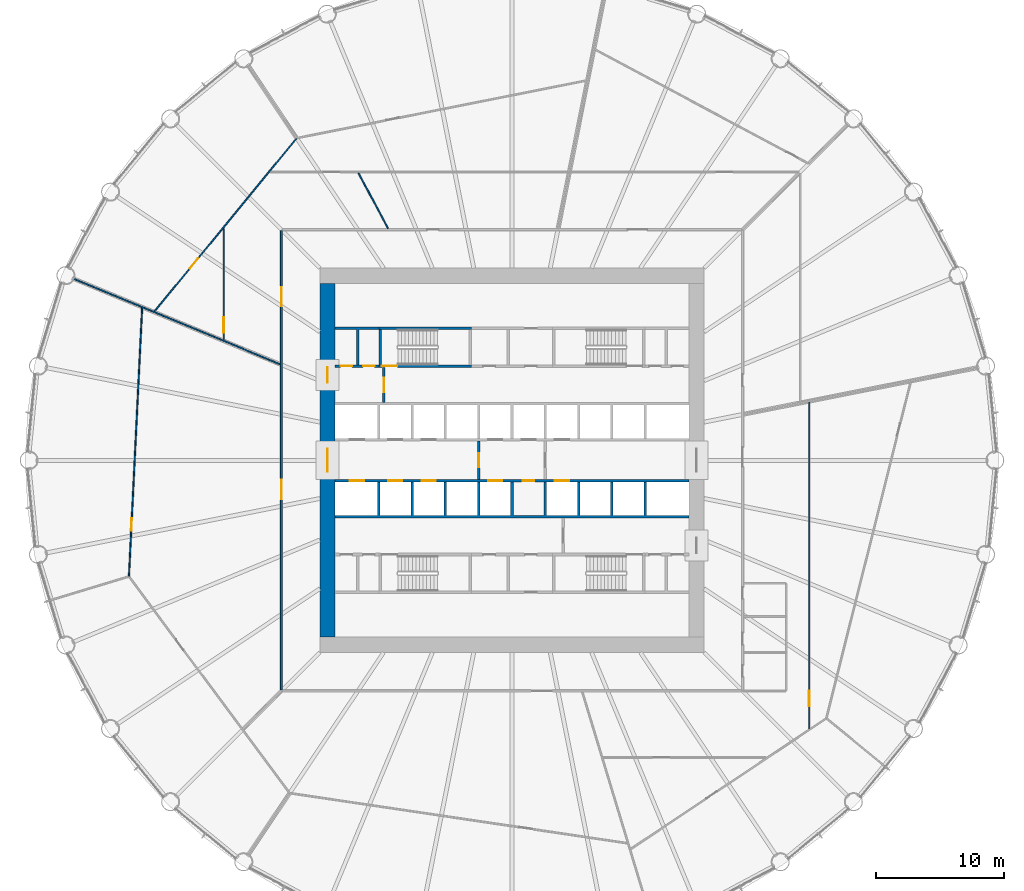
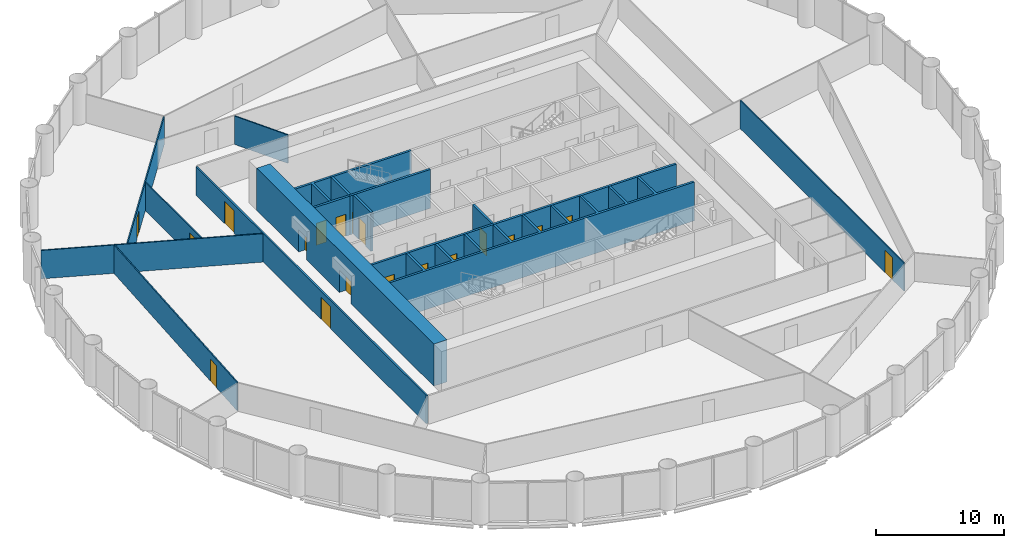
# One storey, part 11 of 15: 19 doors, 17 walls, 19 openings.
"""IFC4 building model written with IfcOpenShell, lengths in metres."""

import ifcopenshell
import ifcopenshell.guid

model = None  # the IFC model being written
_history = None  # IfcOwnerHistory: only IFC2X3 demands one
_inside = {}  # id of a spatial element -> (the spatial element, [elements in it])
_under = {}  # id of a project, library or spatial element -> (it, [spatial elements below it])
_declared = {}  # id of a project -> (the project, [libraries it declares])
_typed = {}  # id of a type object -> (the type object, [elements of that type])
_made_of = {}  # id of a material, layer set ... -> (it, [elements and type objects made of it])


def new_model(schema):
    """Start an empty IFC model of exactly this schema.

    Asked for "IFC4X3", IfcOpenShell would pick the latest addendum, in which some entities
    have other attributes; the version numbers below select the first issue.
    IFC2X3 requires an IfcOwnerHistory on every rooted entity: one is made here for all.
    """
    global model, _history
    if schema == "IFC4X3":
        model = ifcopenshell.file(schema_version=(4, 3, 0, 0))
    else:
        model = ifcopenshell.file(schema=schema)
    _inside.clear()
    _under.clear()
    _declared.clear()
    _typed.clear()
    _made_of.clear()
    _history = None
    if model.schema == "IFC2X3":
        org = make("IfcOrganization", Name="unknown")
        user = make(
            "IfcPersonAndOrganization",
            ThePerson=make("IfcPerson", FamilyName="unknown"),
            TheOrganization=org,
        )
        app = make(
            "IfcApplication",
            ApplicationDeveloper=org,
            Version="unknown",
            ApplicationFullName="unknown",
            ApplicationIdentifier="unknown",
        )
        _history = make(
            "IfcOwnerHistory",
            OwningUser=user,
            OwningApplication=app,
            ChangeAction="ADDED",
            CreationDate=0,
        )
    return model


def make(cls, **values):
    """One entity of the class cls with the attributes given. An attribute that is None is left unset."""
    return model.create_entity(
        cls, **{name: value for name, value in values.items() if value is not None}
    )


def rooted(cls, **values):
    """An entity with a GlobalId (a new one), such as an element, a storey or a relation."""
    return make(cls, GlobalId=ifcopenshell.guid.new(), OwnerHistory=_history, **values)


def si_unit(unit_type, name, prefix=None):
    """IfcSIUnit, for example si_unit("LENGTHUNIT", "METRE", prefix="MILLI")."""
    return make("IfcSIUnit", UnitType=unit_type, Prefix=prefix, Name=name)


def assignment(units):
    """IfcUnitAssignment: the units of a project."""
    return None if units is None else make("IfcUnitAssignment", Units=units)


def point(xyz):
    """IfcCartesianPoint."""
    return None if xyz is None else make("IfcCartesianPoint", Coordinates=xyz)


def direction(xyz):
    """IfcDirection."""
    return None if xyz is None else make("IfcDirection", DirectionRatios=xyz)


def frame(location, z_axis=None, x_axis=None):
    """IfcAxis2Placement3D, a coordinate frame: its origin and axes. An axis left out is left unset."""
    return make(
        "IfcAxis2Placement3D",
        Location=point(location),
        Axis=direction(z_axis),
        RefDirection=direction(x_axis),
    )


def frame_2d(location, x_axis=None):
    """IfcAxis2Placement2D, a coordinate frame in the plane: its origin and x axis."""
    return make(
        "IfcAxis2Placement2D", Location=point(location), RefDirection=direction(x_axis)
    )


def origin():
    """The frame at (0, 0, 0) with its axes left unset."""
    return frame((0.0, 0.0, 0.0))


def place(relative_to, where):
    """IfcLocalPlacement: puts the frame where relative to a parent placement (None: the world)."""
    return make(
        "IfcLocalPlacement", PlacementRelTo=relative_to, RelativePlacement=where
    )


def context(
    kind, dimensions, precision=None, world=None, true_north=None, identifier=None
):
    """IfcGeometricRepresentationContext, for example the 3D "Model" context."""
    return make(
        "IfcGeometricRepresentationContext",
        ContextIdentifier=identifier,
        ContextType=kind,
        CoordinateSpaceDimension=dimensions,
        Precision=precision,
        WorldCoordinateSystem=world,
        TrueNorth=true_north,
    )


def subcontext(parent, identifier, kind, view, scale=None):
    """IfcGeometricRepresentationSubContext, for example "Body" below "Model"."""
    return make(
        "IfcGeometricRepresentationSubContext",
        ContextIdentifier=identifier,
        ContextType=kind,
        ParentContext=parent,
        TargetScale=scale,
        TargetView=view,
    )


def project(units=None, contexts=None):
    """IfcProject with its units and contexts."""
    return rooted(
        "IfcProject",
        Name="project",
        RepresentationContexts=contexts,
        UnitsInContext=assignment(units),
    )


def spatial(cls, under=None, at=None, **own):
    """A site, building, storey or space (cls), placed at a placement, below another one or the project."""
    s = rooted(cls, ObjectPlacement=at, **own)
    if under is not None:
        _under.setdefault(under.id(), (under, []))[1].append(s)
    return s


def polyline(points):
    """IfcPolyline through the points."""
    return make("IfcPolyline", Points=[point(p) for p in points])


def profile(cls, at=None, kind="AREA", **sizes):
    """A parametric profile (cls). Its sizes go by their IFC names, for example OverallWidth=200.0."""
    return make(cls, ProfileType=kind, Position=at, **sizes)


def rectangle(**sizes):
    """IfcRectangleProfileDef."""
    return profile("IfcRectangleProfileDef", **sizes)


def outline(outer, holes=None, kind="AREA"):
    """IfcArbitraryClosedProfileDef: a profile drawn as a closed curve; with holes, ...WithVoids."""
    if holes is None:
        return make("IfcArbitraryClosedProfileDef", ProfileType=kind, OuterCurve=outer)
    return make(
        "IfcArbitraryProfileDefWithVoids",
        ProfileType=kind,
        OuterCurve=outer,
        InnerCurves=holes,
    )


def extrude(swept, where, along, depth):
    """IfcExtrudedAreaSolid: the profile swept, set in the frame where, extruded along a direction by depth."""
    return make(
        "IfcExtrudedAreaSolid",
        SweptArea=swept,
        Position=where,
        ExtrudedDirection=direction(along),
        Depth=depth,
    )


def shape(context_of_items, identifier, shape_type, items):
    """IfcShapeRepresentation: the items that make up one representation, for example the "Body"."""
    return make(
        "IfcShapeRepresentation",
        ContextOfItems=context_of_items,
        RepresentationIdentifier=identifier,
        RepresentationType=shape_type,
        Items=items,
    )


def material(Name=None, Category=None):
    """IfcMaterial."""
    return make("IfcMaterial", Name=Name, Category=Category)


def layer(
    of_material, thickness, ventilated=None, Name=None, Category=None, Priority=None
):
    """IfcMaterialLayer: one layer of a wall or slab, of a material (None: an air gap)."""
    return make(
        "IfcMaterialLayer",
        Material=of_material,
        LayerThickness=thickness,
        IsVentilated=ventilated,
        Name=Name,
        Category=Category,
        Priority=Priority,
    )


def layer_set(layers, Name=None):
    """IfcMaterialLayerSet."""
    return make("IfcMaterialLayerSet", MaterialLayers=layers, LayerSetName=Name)


def made_of(thing, what):
    """Note that an element or type object is made of a material, layer set ...; save() writes the relation."""
    if what is not None:
        _made_of.setdefault(what.id(), (what, []))[1].append(thing)
    return thing


def type_object(cls, material=None, **own):
    """A type object (cls), such as IfcWallType, which elements share."""
    return made_of(rooted(cls, **own), material)


def element(
    cls,
    number,
    at=None,
    inside=None,
    cuts=None,
    type_object=None,
    material=None,
    context=None,
    identifier="Body",
    shape_type=None,
    held_by="IfcProductDefinitionShape",
    body=None,
    shapes=None,
    **own,
):
    """One element of the class cls, such as IfcWall. Its Tag is "e" and its number.

    at: its placement. inside: the storey or other place that contains it. cuts: it is an
    opening in that element (IfcRelVoidsElement). A single representation is given by context,
    identifier, shape_type and body (its items); several are given by shapes. held_by: the class
    of the entity that holds the representations. save() writes the other relations.
    """
    e = rooted(cls, Tag="e%d" % number, ObjectPlacement=at, **own)
    if body is not None:
        shapes = [shape(context, identifier, shape_type, body)]
    if shapes is not None:
        e.Representation = make(held_by, Representations=shapes)
    if inside is not None:
        _inside.setdefault(inside.id(), (inside, []))[1].append(e)
    if cuts is not None:
        rooted(
            "IfcRelVoidsElement", RelatingBuildingElement=cuts, RelatedOpeningElement=e
        )
    if type_object is not None:
        _typed.setdefault(type_object.id(), (type_object, []))[1].append(e)
    return made_of(e, material)


def fill(opening, filler):
    """IfcRelFillsElement: the door or window that sits in an opening."""
    return rooted(
        "IfcRelFillsElement",
        RelatingOpeningElement=opening,
        RelatedBuildingElement=filler,
    )


def aggregate(whole, parts):
    """IfcRelAggregates: a whole, such as a stair, and the parts it consists of."""
    return rooted("IfcRelAggregates", RelatingObject=whole, RelatedObjects=parts)


def save(model, path):
    """Write the relations noted so far, then the file.

    IfcRelAggregates (storeys below a building ...), IfcRelContainedInSpatialStructure (elements
    in a storey), IfcRelDefinesByType, IfcRelAssociatesMaterial and IfcRelDeclares: one each for
    every whole, place, type object, material and project.
    """
    for whole, parts in _under.values():
        aggregate(whole, parts)
    for where, things in _inside.values():
        rooted(
            "IfcRelContainedInSpatialStructure",
            RelatedElements=things,
            RelatingStructure=where,
        )
    for kind, things in _typed.values():
        rooted("IfcRelDefinesByType", RelatedObjects=things, RelatingType=kind)
    for what, things in _made_of.values():
        rooted("IfcRelAssociatesMaterial", RelatedObjects=things, RelatingMaterial=what)
    for by, libraries in _declared.values():
        rooted("IfcRelDeclares", RelatingContext=by, RelatedDefinitions=libraries)
    model.write(path)


model = new_model("IFC4")

# Units and contexts
model_context = context("Model", 3, precision=1e-05, world=origin(), true_north=direction((0.0, 1.0)))
body_context = subcontext(model_context, "Body", "Model", "MODEL_VIEW")
ifc_project = project(units=[si_unit("LENGTHUNIT", "METRE"), si_unit("AREAUNIT", "SQUARE_METRE"), si_unit("VOLUMEUNIT", "CUBIC_METRE"), si_unit("PLANEANGLEUNIT", "RADIAN"), si_unit("MASSUNIT", "GRAM", prefix="KILO")], contexts=[model_context])

# Site, building, storey
site_placement = place(None, origin())
site = spatial("IfcSite", under=ifc_project, at=site_placement, CompositionType="ELEMENT")
building_placement = place(site_placement, origin())
building = spatial("IfcBuilding", under=site, at=building_placement, Name="Corvane Civic Tower", CompositionType="ELEMENT")
storey_placement = place(building_placement, frame((0.0, 0.0, 69.0)))
storey = spatial("IfcBuildingStorey", under=building, at=storey_placement, Name="L15", CompositionType="ELEMENT", Elevation=69.0)

# Wall, openings, doors
ifc_material_1 = material(Name="Concrete C80/95", Category="concrete")
ifc_layer_1 = layer(ifc_material_1, 1.199951171875)
ifc_layer_set_1 = layer_set([ifc_layer_1], Name="Concrete C80/95")
wall_type_1 = type_object("IfcWallType", Name="CORE WALL 1200 C80/95", PredefinedType="SHEAR", material=ifc_layer_set_1)
wall_1_placement = place(storey_placement, frame((-14.39990234375, -13.800048828125, 0.0), z_axis=(0.0, 0.0, 1.0), x_axis=(0.0, 1.0, 0.0)))
wall_1 = element("IfcWall", 1, at=wall_1_placement, inside=storey, type_object=wall_type_1, Name="W-L15-core-W", PredefinedType="SHEAR", context=body_context, shape_type="SweptSolid", body=[
    extrude(rectangle(XDim=27.60009765625, YDim=1.199951171875, at=frame_2d((13.800048828125, 0.0))), origin(), (0.0, 0.0, 1.0), 4.0),
])
opening_1_placement = place(wall_1_placement, frame((12.89990234375, 0.0, 0.0)))
opening_1 = element("IfcOpeningElement", 2, at=opening_1_placement, cuts=wall_1, Name="Opening L15.C24", PredefinedType="OPENING", context=body_context, shape_type="SweptSolid", body=[
    extrude(rectangle(XDim=1.800048828125, YDim=2.10009765625, at=frame_2d((0.89990234375, 1.050048828125))), frame((0.0, 0.60986328125, 0.0), z_axis=(0.0, -1.0, 0.0), x_axis=(1.0, 0.0, 0.0)), (0.0, 0.0, 1.0), 1.219970703125),
])
opening_2_placement = place(wall_1_placement, frame((19.85009765625, 0.0, 0.0)))
opening_2 = element("IfcOpeningElement", 3, at=opening_2_placement, cuts=wall_1, Name="Opening L15.C26", PredefinedType="OPENING", context=body_context, shape_type="SweptSolid", body=[
    extrude(rectangle(XDim=1.199951171875, YDim=2.10009765625, at=frame_2d((0.60009765625, 1.050048828125))), frame((0.0, 0.60986328125, 0.0), z_axis=(0.0, -1.0, 0.0), x_axis=(1.0, 0.0, 0.0)), (0.0, 0.0, 1.0), 1.219970703125),
])
ifc_material_2 = material(Name="Steel fire door leaf", Category="steel")
door_type_1 = type_object("IfcDoorType", Name="CR-DOOR-CORE-1800", OperationType="DOUBLE_DOOR_SINGLE_SWING", PredefinedType="DOOR", material=ifc_material_2)
door_1_placement = place(opening_1_placement, origin())
door_1 = element("IfcDoor", 4, at=door_1_placement, inside=storey, type_object=door_type_1, Name="L15 door", OperationType="DOUBLE_DOOR_SINGLE_SWING", OverallHeight=2.10009765625, OverallWidth=1.800048828125, PredefinedType="DOOR", context=body_context, shape_type="SweptSolid", body=[
    extrude(rectangle(XDim=1.800048828125, YDim=2.10009765625, at=frame_2d((0.89990234375, 1.050048828125))), frame((0.0, 0.02490234375, 0.0), z_axis=(0.0, -1.0, 0.0), x_axis=(1.0, 0.0, 0.0)), (0.0, 0.0, 1.0), 0.050048828125),
])
fill(opening_1, door_1)
door_2_placement = place(opening_2_placement, origin())
door_2 = element("IfcDoor", 5, at=door_2_placement, inside=storey, type_object=door_type_1, Name="L15 door", OperationType="DOUBLE_DOOR_SINGLE_SWING", OverallHeight=2.10009765625, OverallWidth=1.199951171875, PredefinedType="DOOR", context=body_context, shape_type="SweptSolid", body=[
    extrude(rectangle(XDim=1.199951171875, YDim=2.10009765625, at=frame_2d((0.60009765625, 1.050048828125))), frame((0.0, 0.02490234375, 0.0), z_axis=(0.0, -1.0, 0.0), x_axis=(1.0, 0.0, 0.0)), (0.0, 0.0, 1.0), 0.050048828125),
])
fill(opening_2, door_2)

ifc_material_3 = material(Name="Concrete C30/37", Category="concrete")
ifc_layer_2 = layer(ifc_material_3, 0.199951171875)
ifc_layer_set_2 = layer_set([ifc_layer_2], Name="Concrete C30/37")
wall_type_2 = type_object("IfcWallType", Name="CR-WALL-200", PredefinedType="PARTITIONING", material=ifc_layer_set_2)
wall_2_placement = place(storey_placement, frame((-13.800048828125, -1.60009765625, 0.0), z_axis=(0.0, 0.0, 1.0), x_axis=(1.0, 0.0, 0.0)))
wall_2 = element("IfcWall", 6, at=wall_2_placement, inside=storey, type_object=wall_type_2, Name="L15 lift shaft wall", PredefinedType="PARTITIONING", context=body_context, shape_type="SweptSolid", body=[
    extrude(rectangle(XDim=27.60009765625, YDim=0.199951171875, at=frame_2d((13.800048828125, 0.0))), origin(), (0.0, 0.0, 1.0), 3.699951171875),
])
opening_3_placement = place(wall_2_placement, frame((1.14990234375, 0.0, 0.0)))
opening_3 = element("IfcOpeningElement", 7, at=opening_3_placement, cuts=wall_2, Name="Opening LD", PredefinedType="OPENING", context=body_context, shape_type="SweptSolid", body=[
    extrude(rectangle(XDim=1.10009765625, YDim=2.10009765625, at=frame_2d((0.550048828125, 1.050048828125))), frame((0.0, 0.10986328125, 0.0), z_axis=(0.0, -1.0, 0.0), x_axis=(1.0, 0.0, 0.0)), (0.0, 0.0, 1.0), 0.219970703125),
])
opening_4_placement = place(wall_2_placement, frame((4.14990234375, 0.0, 0.0)))
opening_4 = element("IfcOpeningElement", 8, at=opening_4_placement, cuts=wall_2, Name="Opening LD", PredefinedType="OPENING", context=body_context, shape_type="SweptSolid", body=[
    extrude(rectangle(XDim=1.10009765625, YDim=2.10009765625, at=frame_2d((0.550048828125, 1.050048828125))), frame((0.0, 0.10986328125, 0.0), z_axis=(0.0, -1.0, 0.0), x_axis=(1.0, 0.0, 0.0)), (0.0, 0.0, 1.0), 0.219970703125),
])
opening_5_placement = place(wall_2_placement, frame((6.75, 0.0, 0.0)))
opening_5 = element("IfcOpeningElement", 9, at=opening_5_placement, cuts=wall_2, Name="Opening LD", PredefinedType="OPENING", context=body_context, shape_type="SweptSolid", body=[
    extrude(rectangle(XDim=1.10009765625, YDim=2.10009765625, at=frame_2d((0.550048828125, 1.050048828125))), frame((0.0, 0.10986328125, 0.0), z_axis=(0.0, -1.0, 0.0), x_axis=(1.0, 0.0, 0.0)), (0.0, 0.0, 1.0), 0.219970703125),
])
opening_6_placement = place(wall_2_placement, frame((11.949951171875, 0.0, 0.0)))
opening_6 = element("IfcOpeningElement", 10, at=opening_6_placement, cuts=wall_2, Name="Opening LD", PredefinedType="OPENING", context=body_context, shape_type="SweptSolid", body=[
    extrude(rectangle(XDim=1.10009765625, YDim=2.10009765625, at=frame_2d((0.550048828125, 1.050048828125))), frame((0.0, 0.10986328125, 0.0), z_axis=(0.0, -1.0, 0.0), x_axis=(1.0, 0.0, 0.0)), (0.0, 0.0, 1.0), 0.219970703125),
])
opening_7_placement = place(wall_2_placement, frame((14.64990234375, 0.0, 0.0)))
opening_7 = element("IfcOpeningElement", 11, at=opening_7_placement, cuts=wall_2, Name="Opening L15.C01", PredefinedType="OPENING", context=body_context, shape_type="SweptSolid", body=[
    extrude(rectangle(XDim=0.89990234375, YDim=2.10009765625, at=frame_2d((0.449951171875, 1.050048828125))), frame((0.0, 0.10986328125, 0.0), z_axis=(0.0, -1.0, 0.0), x_axis=(1.0, 0.0, 0.0)), (0.0, 0.0, 1.0), 0.219970703125),
])
opening_8_placement = place(wall_2_placement, frame((17.14990234375, 0.0, 0.0)))
opening_8 = element("IfcOpeningElement", 12, at=opening_8_placement, cuts=wall_2, Name="Opening LD", PredefinedType="OPENING", context=body_context, shape_type="SweptSolid", body=[
    extrude(rectangle(XDim=1.10009765625, YDim=2.10009765625, at=frame_2d((0.550048828125, 1.050048828125))), frame((0.0, 0.10986328125, 0.0), z_axis=(0.0, -1.0, 0.0), x_axis=(1.0, 0.0, 0.0)), (0.0, 0.0, 1.0), 0.219970703125),
])
ifc_material_4 = material(Name="Steel fire door leaf", Category="steel")
door_type_2 = type_object("IfcDoorType", Name="CR-DOOR-900", OperationType="SINGLE_SWING_LEFT", PredefinedType="DOOR", material=ifc_material_4)
door_3_placement = place(opening_7_placement, origin())
door_3 = element("IfcDoor", 13, at=door_3_placement, inside=storey, type_object=door_type_2, Name="L15 door", OperationType="SINGLE_SWING_LEFT", OverallHeight=2.10009765625, OverallWidth=0.89990234375, PredefinedType="DOOR", context=body_context, shape_type="SweptSolid", body=[
    extrude(rectangle(XDim=0.89990234375, YDim=2.10009765625, at=frame_2d((0.449951171875, 1.050048828125))), frame((0.0, 0.02490234375, 0.0), z_axis=(0.0, -1.0, 0.0), x_axis=(1.0, 0.0, 0.0)), (0.0, 0.0, 1.0), 0.050048828125),
])
fill(opening_7, door_3)
ifc_material_5 = material(Name="Stainless steel 316 door leaves", Category="steel")
door_type_3 = type_object("IfcDoorType", Name="LD", OperationType="DOUBLE_DOOR_SLIDING", PredefinedType="DOOR", material=ifc_material_5)
door_4_placement = place(opening_3_placement, origin())
door_4 = element("IfcDoor", 14, at=door_4_placement, inside=storey, type_object=door_type_3, Name="L15 landing door", OperationType="DOUBLE_DOOR_SLIDING", OverallHeight=2.10009765625, OverallWidth=1.10009765625, PredefinedType="DOOR", context=body_context, shape_type="SweptSolid", body=[
    extrude(rectangle(XDim=1.10009765625, YDim=2.10009765625, at=frame_2d((0.550048828125, 1.050048828125))), frame((0.0, 0.02490234375, 0.0), z_axis=(0.0, -1.0, 0.0), x_axis=(1.0, 0.0, 0.0)), (0.0, 0.0, 1.0), 0.050048828125),
])
fill(opening_3, door_4)
door_5_placement = place(opening_4_placement, origin())
door_5 = element("IfcDoor", 15, at=door_5_placement, inside=storey, type_object=door_type_3, Name="L15 landing door", OperationType="DOUBLE_DOOR_SLIDING", OverallHeight=2.10009765625, OverallWidth=1.10009765625, PredefinedType="DOOR", context=body_context, shape_type="SweptSolid", body=[
    extrude(rectangle(XDim=1.10009765625, YDim=2.10009765625, at=frame_2d((0.550048828125, 1.050048828125))), frame((0.0, 0.02490234375, 0.0), z_axis=(0.0, -1.0, 0.0), x_axis=(1.0, 0.0, 0.0)), (0.0, 0.0, 1.0), 0.050048828125),
])
fill(opening_4, door_5)
door_6_placement = place(opening_5_placement, origin())
door_6 = element("IfcDoor", 16, at=door_6_placement, inside=storey, type_object=door_type_3, Name="L15 landing door", OperationType="DOUBLE_DOOR_SLIDING", OverallHeight=2.10009765625, OverallWidth=1.10009765625, PredefinedType="DOOR", context=body_context, shape_type="SweptSolid", body=[
    extrude(rectangle(XDim=1.10009765625, YDim=2.10009765625, at=frame_2d((0.550048828125, 1.050048828125))), frame((0.0, 0.02490234375, 0.0), z_axis=(0.0, -1.0, 0.0), x_axis=(1.0, 0.0, 0.0)), (0.0, 0.0, 1.0), 0.050048828125),
])
fill(opening_5, door_6)
door_7_placement = place(opening_6_placement, origin())
door_7 = element("IfcDoor", 17, at=door_7_placement, inside=storey, type_object=door_type_3, Name="L15 landing door", OperationType="DOUBLE_DOOR_SLIDING", OverallHeight=2.10009765625, OverallWidth=1.10009765625, PredefinedType="DOOR", context=body_context, shape_type="SweptSolid", body=[
    extrude(rectangle(XDim=1.10009765625, YDim=2.10009765625, at=frame_2d((0.550048828125, 1.050048828125))), frame((0.0, 0.02490234375, 0.0), z_axis=(0.0, -1.0, 0.0), x_axis=(1.0, 0.0, 0.0)), (0.0, 0.0, 1.0), 0.050048828125),
])
fill(opening_6, door_7)
door_8_placement = place(opening_8_placement, origin())
door_8 = element("IfcDoor", 18, at=door_8_placement, inside=storey, type_object=door_type_3, Name="L15 landing door", OperationType="DOUBLE_DOOR_SLIDING", OverallHeight=2.10009765625, OverallWidth=1.10009765625, PredefinedType="DOOR", context=body_context, shape_type="SweptSolid", body=[
    extrude(rectangle(XDim=1.10009765625, YDim=2.10009765625, at=frame_2d((0.550048828125, 1.050048828125))), frame((0.0, 0.02490234375, 0.0), z_axis=(0.0, -1.0, 0.0), x_axis=(1.0, 0.0, 0.0)), (0.0, 0.0, 1.0), 0.050048828125),
])
fill(opening_8, door_8)

wall_3_placement = place(storey_placement, frame((-13.800048828125, 7.35009765625, 0.0), z_axis=(0.0, 0.0, 1.0), x_axis=(1.0, 0.0, 0.0)))
wall_3 = element("IfcWall", 19, at=wall_3_placement, inside=storey, type_object=wall_type_2, Name="L15 core partition wall", PredefinedType="PARTITIONING", context=body_context, shape_type="SweptSolid", body=[
    extrude(rectangle(XDim=3.400146484375, YDim=0.199951171875, at=frame_2d((1.7001953125, 0.0))), origin(), (0.0, 0.0, 1.0), 3.699951171875),
])
opening_9_placement = place(wall_3_placement, frame((0.425048828125, 0.0, 0.0)))
opening_9 = element("IfcOpeningElement", 20, at=opening_9_placement, cuts=wall_3, Name="Opening L15.C08", PredefinedType="OPENING", context=body_context, shape_type="SweptSolid", body=[
    extrude(rectangle(XDim=0.89990234375, YDim=2.10009765625, at=frame_2d((0.449951171875, 1.050048828125))), frame((0.0, 0.10986328125, 0.0), z_axis=(0.0, -1.0, 0.0), x_axis=(1.0, 0.0, 0.0)), (0.0, 0.0, 1.0), 0.219970703125),
])
opening_10_placement = place(wall_3_placement, frame((2.175048828125, 0.0, 0.0)))
opening_10 = element("IfcOpeningElement", 21, at=opening_10_placement, cuts=wall_3, Name="Opening L15.C09", PredefinedType="OPENING", context=body_context, shape_type="SweptSolid", body=[
    extrude(rectangle(XDim=0.89990234375, YDim=2.10009765625, at=frame_2d((0.449951171875, 1.050048828125))), frame((0.0, 0.10986328125, 0.0), z_axis=(0.0, -1.0, 0.0), x_axis=(1.0, 0.0, 0.0)), (0.0, 0.0, 1.0), 0.219970703125),
])
door_9_placement = place(opening_9_placement, origin())
door_9 = element("IfcDoor", 22, at=door_9_placement, inside=storey, type_object=door_type_2, Name="L15 door", OperationType="SINGLE_SWING_LEFT", OverallHeight=2.10009765625, OverallWidth=0.89990234375, PredefinedType="DOOR", context=body_context, shape_type="SweptSolid", body=[
    extrude(rectangle(XDim=0.89990234375, YDim=2.10009765625, at=frame_2d((0.449951171875, 1.050048828125))), frame((0.0, 0.02490234375, 0.0), z_axis=(0.0, -1.0, 0.0), x_axis=(1.0, 0.0, 0.0)), (0.0, 0.0, 1.0), 0.050048828125),
])
fill(opening_9, door_9)
door_10_placement = place(opening_10_placement, origin())
door_10 = element("IfcDoor", 23, at=door_10_placement, inside=storey, type_object=door_type_2, Name="L15 door", OperationType="SINGLE_SWING_LEFT", OverallHeight=2.10009765625, OverallWidth=0.89990234375, PredefinedType="DOOR", context=body_context, shape_type="SweptSolid", body=[
    extrude(rectangle(XDim=0.89990234375, YDim=2.10009765625, at=frame_2d((0.449951171875, 1.050048828125))), frame((0.0, 0.02490234375, 0.0), z_axis=(0.0, -1.0, 0.0), x_axis=(1.0, 0.0, 0.0)), (0.0, 0.0, 1.0), 0.050048828125),
])
fill(opening_10, door_10)

# Wall, opening, door
wall_4_placement = place(storey_placement, frame((-10.0, 4.5, 0.0), z_axis=(0.0, 0.0, 1.0), x_axis=(0.0, 1.0, 0.0)))
wall_4 = element("IfcWall", 24, at=wall_4_placement, inside=storey, type_object=wall_type_2, Name="L15 core partition wall", PredefinedType="PARTITIONING", context=body_context, shape_type="SweptSolid", body=[
    extrude(rectangle(XDim=2.75, YDim=0.199951171875, at=frame_2d((1.375, 0.0))), origin(), (0.0, 0.0, 1.0), 3.699951171875),
])
opening_11_placement = place(wall_4_placement, frame((0.824951171875, 0.0, 0.0)))
opening_11 = element("IfcOpeningElement", 25, at=opening_11_placement, cuts=wall_4, Name="Opening L15.C22", PredefinedType="OPENING", context=body_context, shape_type="SweptSolid", body=[
    extrude(rectangle(XDim=1.10009765625, YDim=2.10009765625, at=frame_2d((0.550048828125, 1.050048828125))), frame((0.0, 0.10986328125, 0.0), z_axis=(0.0, -1.0, 0.0), x_axis=(1.0, 0.0, 0.0)), (0.0, 0.0, 1.0), 0.219970703125),
])
ifc_material_6 = material(Name="Steel fire door leaf", Category="steel")
door_type_4 = type_object("IfcDoorType", Name="CR-DOOR-FFL-1100", OperationType="SINGLE_SWING_LEFT", PredefinedType="DOOR", material=ifc_material_6)
door_11_placement = place(opening_11_placement, origin())
door_11 = element("IfcDoor", 26, at=door_11_placement, inside=storey, type_object=door_type_4, Name="L15 lobby door", OperationType="SINGLE_SWING_LEFT", OverallHeight=2.10009765625, OverallWidth=1.10009765625, PredefinedType="DOOR", context=body_context, shape_type="SweptSolid", body=[
    extrude(rectangle(XDim=1.10009765625, YDim=2.10009765625, at=frame_2d((0.550048828125, 1.050048828125))), frame((0.0, 0.02490234375, 0.0), z_axis=(0.0, -1.0, 0.0), x_axis=(1.0, 0.0, 0.0)), (0.0, 0.0, 1.0), 0.050048828125),
])
fill(opening_11, door_11)

wall_5_placement = place(storey_placement, frame((-2.60009765625, -1.5, 0.0), z_axis=(0.0, 0.0, 1.0), x_axis=(0.0, 1.0, 0.0)))
wall_5 = element("IfcWall", 27, at=wall_5_placement, inside=storey, type_object=wall_type_2, Name="L15 firefighting lobby wall", PredefinedType="PARTITIONING", context=body_context, shape_type="SweptSolid", body=[
    extrude(rectangle(XDim=3.0, YDim=0.199951171875, at=frame_2d((1.5, 0.0))), origin(), (0.0, 0.0, 1.0), 3.699951171875),
])
opening_12_placement = place(wall_5_placement, frame((0.949951171875, 0.0, 0.0)))
opening_12 = element("IfcOpeningElement", 28, at=opening_12_placement, cuts=wall_5, Name="Opening L15.C20", PredefinedType="OPENING", context=body_context, shape_type="SweptSolid", body=[
    extrude(rectangle(XDim=1.10009765625, YDim=2.10009765625, at=frame_2d((0.550048828125, 1.050048828125))), frame((0.0, 0.10986328125, 0.0), z_axis=(0.0, -1.0, 0.0), x_axis=(1.0, 0.0, 0.0)), (0.0, 0.0, 1.0), 0.219970703125),
])
door_12_placement = place(opening_12_placement, origin())
door_12 = element("IfcDoor", 29, at=door_12_placement, inside=storey, type_object=door_type_4, Name="L15 lobby door", OperationType="SINGLE_SWING_LEFT", OverallHeight=2.10009765625, OverallWidth=1.10009765625, PredefinedType="DOOR", context=body_context, shape_type="SweptSolid", body=[
    extrude(rectangle(XDim=1.10009765625, YDim=2.10009765625, at=frame_2d((0.550048828125, 1.050048828125))), frame((0.0, 0.02490234375, 0.0), z_axis=(0.0, -1.0, 0.0), x_axis=(1.0, 0.0, 0.0)), (0.0, 0.0, 1.0), 0.050048828125),
])
fill(opening_12, door_12)

# Walls
wall_6_placement = place(storey_placement, origin())
element("IfcWall", 30, at=wall_6_placement, inside=storey, type_object=wall_type_2, Name="L15 core partition wall", PredefinedType="PARTITIONING", context=body_context, shape_type="SweptSolid", body=[
    extrude(outline(polyline([(-13.800048828125, 10.39990234375), (-10.39990234375, 10.39990234375), (-10.39990234375, 10.199951171875), (-11.949951171875, 10.199951171875), (-11.949951171875, 7.449951171875), (-12.14990234375, 7.449951171875), (-12.14990234375, 10.199951171875), (-13.800048828125, 10.199951171875), (-13.800048828125, 10.39990234375)])), origin(), (0.0, 0.0, 1.0), 3.699951171875),
])
wall_7_placement = place(storey_placement, origin())
element("IfcWall", 31, at=wall_7_placement, inside=storey, type_object=wall_type_2, Name="L15 core partition wall", PredefinedType="PARTITIONING", context=body_context, shape_type="SweptSolid", body=[
    extrude(outline(polyline([(-10.300048828125, -1.699951171875), (-10.300048828125, -4.300048828125), (-7.89990234375, -4.300048828125), (-7.89990234375, -1.699951171875), (-7.699951171875, -1.699951171875), (-7.699951171875, -4.300048828125), (-5.300048828125, -4.300048828125), (-5.300048828125, -1.699951171875), (-5.10009765625, -1.699951171875), (-5.10009765625, -4.300048828125), (-2.699951171875, -4.300048828125), (-2.699951171875, -1.699951171875), (-2.5, -1.699951171875), (-2.5, -4.300048828125), (-0.10009765625, -4.300048828125), (-0.10009765625, -1.699951171875), (0.10009765625, -1.699951171875), (0.10009765625, -4.300048828125), (2.5, -4.300048828125), (2.5, -1.699951171875), (2.699951171875, -1.699951171875), (2.699951171875, -4.300048828125), (5.10009765625, -4.300048828125), (5.10009765625, -1.699951171875), (5.300048828125, -1.699951171875), (5.300048828125, -4.300048828125), (7.699951171875, -4.300048828125), (7.699951171875, -1.699951171875), (7.89990234375, -1.699951171875), (7.89990234375, -4.300048828125), (10.300048828125, -4.300048828125), (10.300048828125, -1.699951171875), (10.5, -1.699951171875), (10.5, -4.300048828125), (13.800048828125, -4.300048828125), (13.800048828125, -4.5), (-13.800048828125, -4.5), (-13.800048828125, -4.300048828125), (-10.5, -4.300048828125), (-10.5, -1.699951171875), (-10.300048828125, -1.699951171875)])), origin(), (0.0, 0.0, 1.0), 3.699951171875),
])

# Wall, opening, door
ifc_material_7 = material(Name="Plasterboard")
ifc_layer_3 = layer(ifc_material_7, 0.10009765625)
ifc_layer_set_3 = layer_set([ifc_layer_3], Name="Plasterboard")
wall_type_3 = type_object("IfcWallType", Name="Partition 100 plasterboard on studs", PredefinedType="PARTITIONING", material=ifc_layer_set_3)
wall_8_placement = place(storey_placement, frame((23.199951171875, -20.9375, 0.0), z_axis=(0.0, 0.0, 1.0), x_axis=(0.0, 1.0, 0.0)))
wall_8 = element("IfcWall", 32, at=wall_8_placement, inside=storey, type_object=wall_type_3, Name="Partition L15.009", PredefinedType="PARTITIONING", context=body_context, shape_type="SweptSolid", body=[
    extrude(rectangle(XDim=25.4912109375, YDim=0.10009765625, at=frame_2d((12.74560546875, 0.0))), origin(), (0.0, 0.0, 1.0), 2.699951171875),
])
opening_13_placement = place(wall_8_placement, frame((1.756591796875, 0.0, 0.0)))
opening_13 = element("IfcOpeningElement", 33, at=opening_13_placement, cuts=wall_8, Name="Opening L15.014", PredefinedType="OPENING", context=body_context, shape_type="SweptSolid", body=[
    extrude(rectangle(XDim=1.199951171875, YDim=2.10009765625, at=frame_2d((0.60009765625, 1.050048828125))), frame((0.0, 0.06005859375, 0.0), z_axis=(0.0, -1.0, 0.0), x_axis=(1.0, 0.0, 0.0)), (0.0, 0.0, 1.0), 0.1201171875),
])
ifc_material_8 = material(Name="Timber", Category="wood")
door_type_5 = type_object("IfcDoorType", Name="Double door 1200", OperationType="NOTDEFINED", PredefinedType="DOOR", material=ifc_material_8)
door_13_placement = place(opening_13_placement, frame((1.199951171875, 0.0, 0.0), z_axis=(0.0, 0.0, 1.0), x_axis=(-1.0, 0.0, 0.0)))
door_13 = element("IfcDoor", 34, at=door_13_placement, inside=storey, type_object=door_type_5, Name="Door L15.014", OperationType="DOUBLE_DOOR_SINGLE_SWING", OverallHeight=2.10009765625, OverallWidth=1.199951171875, PredefinedType="DOOR", context=body_context, shape_type="SweptSolid", body=[
    extrude(rectangle(XDim=1.199951171875, YDim=2.10009765625, at=frame_2d((0.60009765625, 1.050048828125))), frame((0.0, 0.02490234375, 0.0), z_axis=(0.0, -1.0, 0.0), x_axis=(1.0, 0.0, 0.0)), (0.0, 0.0, 1.0), 0.050048828125),
])
fill(opening_13, door_13)

wall_9_placement = place(storey_placement, frame((-29.895263671875, -9.033935546875, 0.0), z_axis=(0.0, 0.0, 1.0), x_axis=(0.049074826005, 0.99879510484, 0.0)))
wall_9 = element("IfcWall", 35, at=wall_9_placement, inside=storey, type_object=wall_type_3, Name="Partition L15.020", PredefinedType="PARTITIONING", context=body_context, shape_type="SweptSolid", body=[
    extrude(rectangle(XDim=20.944091796875, YDim=0.10009765625, at=frame_2d((10.47216796875, 0.0))), origin(), (0.0, 0.0, 1.0), 2.699951171875),
])
opening_14_placement = place(wall_9_placement, frame((3.532470703125, 0.0, 0.0)))
opening_14 = element("IfcOpeningElement", 36, at=opening_14_placement, cuts=wall_9, Name="Opening L15.021", PredefinedType="OPENING", context=body_context, shape_type="SweptSolid", body=[
    extrude(rectangle(XDim=1.0, YDim=2.10009765625, at=frame_2d((0.5, 1.050048828125))), frame((0.0, 0.06005859375, 0.0), z_axis=(0.0, -1.0, 0.0), x_axis=(1.0, 0.0, 0.0)), (0.0, 0.0, 1.0), 0.1201171875),
])
ifc_material_9 = material(Name="Timber", Category="wood")
door_type_6 = type_object("IfcDoorType", Name="Single door 1000", OperationType="NOTDEFINED", PredefinedType="DOOR", material=ifc_material_9)
door_14_placement = place(opening_14_placement, origin())
door_14 = element("IfcDoor", 37, at=door_14_placement, inside=storey, type_object=door_type_6, Name="Door L15.021", OperationType="SINGLE_SWING_LEFT", OverallHeight=2.10009765625, OverallWidth=1.0, PredefinedType="DOOR", context=body_context, shape_type="SweptSolid", body=[
    extrude(rectangle(XDim=1.0, YDim=2.10009765625, at=frame_2d((0.5, 1.050048828125))), frame((0.0, 0.02490234375, 0.0), z_axis=(0.0, -1.0, 0.0), x_axis=(1.0, 0.0, 0.0)), (0.0, 0.0, 1.0), 0.050048828125),
])
fill(opening_14, door_14)

# Wall
wall_10_placement = place(storey_placement, frame((-34.17431640625, 14.155517578125, 0.0), z_axis=(0.0, 0.0, 1.0), x_axis=(0.923880406754, -0.38268132175, 0.0)))
element("IfcWall", 38, at=wall_10_placement, inside=storey, type_object=wall_type_3, Name="Partition L15.023", PredefinedType="PARTITIONING", context=body_context, shape_type="SweptSolid", body=[
    extrude(rectangle(XDim=17.4052734375, YDim=0.10009765625, at=frame_2d((8.70263671875, 0.0))), origin(), (0.0, 0.0, 1.0), 2.699951171875),
])

# Wall, opening, door
wall_11_placement = place(storey_placement, frame((-22.5, 9.39453125, 0.0), z_axis=(0.0, 0.0, 1.0), x_axis=(0.0, 1.0, 0.0)))
wall_11 = element("IfcWall", 39, at=wall_11_placement, inside=storey, type_object=wall_type_3, Name="Partition L15.024", PredefinedType="PARTITIONING", context=body_context, shape_type="SweptSolid", body=[
    extrude(rectangle(XDim=8.665771484375, YDim=0.10009765625, at=frame_2d((4.3330078125, 0.0))), origin(), (0.0, 0.0, 1.0), 2.699951171875),
])
opening_15_placement = place(wall_11_placement, frame((0.55078125, 0.0, 0.0)))
opening_15 = element("IfcOpeningElement", 40, at=opening_15_placement, cuts=wall_11, Name="Opening L15.003", PredefinedType="OPENING", context=body_context, shape_type="SweptSolid", body=[
    extrude(rectangle(XDim=1.199951171875, YDim=2.10009765625, at=frame_2d((0.60009765625, 1.050048828125))), frame((0.0, 0.06005859375, 0.0), z_axis=(0.0, -1.0, 0.0), x_axis=(1.0, 0.0, 0.0)), (0.0, 0.0, 1.0), 0.1201171875),
])
door_15_placement = place(opening_15_placement, origin())
door_15 = element("IfcDoor", 41, at=door_15_placement, inside=storey, type_object=door_type_5, Name="Door L15.003", OperationType="DOUBLE_DOOR_SINGLE_SWING", OverallHeight=2.10009765625, OverallWidth=1.199951171875, PredefinedType="DOOR", context=body_context, shape_type="SweptSolid", body=[
    extrude(rectangle(XDim=1.199951171875, YDim=2.10009765625, at=frame_2d((0.60009765625, 1.050048828125))), frame((0.0, 0.02490234375, 0.0), z_axis=(0.0, -1.0, 0.0), x_axis=(1.0, 0.0, 0.0)), (0.0, 0.0, 1.0), 0.050048828125),
])
fill(opening_15, door_15)

wall_12_placement = place(storey_placement, frame((-27.896240234375, 11.624755859375, 0.0), z_axis=(0.0, 0.0, 1.0), x_axis=(0.634394209481, 0.773009693974, 0.0)))
wall_12 = element("IfcWall", 42, at=wall_12_placement, inside=storey, type_object=wall_type_3, Name="Partition L15.025", PredefinedType="PARTITIONING", context=body_context, shape_type="SweptSolid", body=[
    extrude(rectangle(XDim=17.45263671875, YDim=0.10009765625, at=frame_2d((8.726318359375, 0.0))), origin(), (0.0, 0.0, 1.0), 2.699951171875),
])
opening_16_placement = place(wall_12_placement, frame((4.3330078125, 0.0, 0.0)))
opening_16 = element("IfcOpeningElement", 43, at=opening_16_placement, cuts=wall_12, Name="Opening L15.001", PredefinedType="OPENING", context=body_context, shape_type="SweptSolid", body=[
    extrude(rectangle(XDim=1.0, YDim=2.10009765625, at=frame_2d((0.5, 1.050048828125))), frame((0.0, 0.06005859375, 0.0), z_axis=(0.0, -1.0, 0.0), x_axis=(1.0, 0.0, 0.0)), (0.0, 0.0, 1.0), 0.1201171875),
])
door_16_placement = place(opening_16_placement, origin())
door_16 = element("IfcDoor", 44, at=door_16_placement, inside=storey, type_object=door_type_6, Name="Door L15.001", OperationType="SINGLE_SWING_RIGHT", OverallHeight=2.10009765625, OverallWidth=1.0, PredefinedType="DOOR", context=body_context, shape_type="SweptSolid", body=[
    extrude(rectangle(XDim=1.0, YDim=2.10009765625, at=frame_2d((0.5, 1.050048828125))), frame((0.0, 0.02490234375, 0.0), z_axis=(0.0, -1.0, 0.0), x_axis=(1.0, 0.0, 0.0)), (0.0, 0.0, 1.0), 0.050048828125),
])
fill(opening_16, door_16)

# Wall
wall_13_placement = place(storey_placement, frame((-11.9873046875, 22.426513671875, 0.0), z_axis=(0.0, 0.0, 1.0), x_axis=(0.47142463877, -0.881906349881, 0.0)))
element("IfcWall", 45, at=wall_13_placement, inside=storey, type_object=wall_type_3, Name="Partition L15.029", PredefinedType="PARTITIONING", context=body_context, shape_type="SweptSolid", body=[
    extrude(rectangle(XDim=4.907470703125, YDim=0.10009765625, at=frame_2d((2.45361328125, 0.0))), origin(), (0.0, 0.0, 1.0), 2.699951171875),
])

# Wall, opening, door
ifc_material_10 = material(Name="Concrete C50/60", Category="concrete")
ifc_layer_4 = layer(ifc_material_10, 0.199951171875)
ifc_layer_set_4 = layer_set([ifc_layer_4], Name="Concrete C50/60")
wall_type_4 = type_object("IfcWallType", Name="ST-WALL-200", PredefinedType="SHEAR", material=ifc_layer_set_4)
wall_14_placement = place(storey_placement, frame((-10.39990234375, 7.35009765625, 0.0), z_axis=(0.0, 0.0, 1.0), x_axis=(1.0, 0.0, 0.0)))
wall_14 = element("IfcWall", 46, at=wall_14_placement, inside=storey, type_object=wall_type_4, Name="L15 stair enclosure wall", PredefinedType="SHEAR", context=body_context, shape_type="SweptSolid", body=[
    extrude(rectangle(XDim=7.25, YDim=0.199951171875, at=frame_2d((3.625, 0.0))), origin(), (0.0, 0.0, 1.0), 3.699951171875),
])
opening_17_placement = place(wall_14_placement, frame((0.25, 0.0, 0.0)))
opening_17 = element("IfcOpeningElement", 47, at=opening_17_placement, cuts=wall_14, Name="Opening L15.C17", PredefinedType="OPENING", context=body_context, shape_type="SweptSolid", body=[
    extrude(rectangle(XDim=1.199951171875, YDim=2.10009765625, at=frame_2d((0.60009765625, 1.050048828125))), frame((0.0, 0.10986328125, 0.0), z_axis=(0.0, -1.0, 0.0), x_axis=(1.0, 0.0, 0.0)), (0.0, 0.0, 1.0), 0.219970703125),
])
ifc_material_11 = material(Name="Steel fire door leaf", Category="steel")
door_type_7 = type_object("IfcDoorType", Name="ST-DOOR-1200", OperationType="SINGLE_SWING_RIGHT", PredefinedType="DOOR", material=ifc_material_11)
door_17_placement = place(opening_17_placement, origin())
door_17 = element("IfcDoor", 48, at=door_17_placement, inside=storey, type_object=door_type_7, Name="L15 stair door", OperationType="SINGLE_SWING_RIGHT", OverallHeight=2.10009765625, OverallWidth=1.199951171875, PredefinedType="DOOR", context=body_context, shape_type="SweptSolid", body=[
    extrude(rectangle(XDim=1.199951171875, YDim=2.10009765625, at=frame_2d((0.60009765625, 1.050048828125))), frame((0.0, 0.02490234375, 0.0), z_axis=(0.0, -1.0, 0.0), x_axis=(1.0, 0.0, 0.0)), (0.0, 0.0, 1.0), 0.050048828125),
])
fill(opening_17, door_17)

# Walls
wall_15_placement = place(storey_placement, origin())
element("IfcWall", 49, at=wall_15_placement, inside=storey, type_object=wall_type_4, Name="L15 stair enclosure wall", PredefinedType="SHEAR", context=body_context, shape_type="SweptSolid", body=[
    extrude(outline(polyline([(-3.14990234375, 10.199951171875), (-10.39990234375, 10.199951171875), (-10.39990234375, 10.39990234375), (-3.14990234375, 10.39990234375), (-3.14990234375, 10.199951171875)])), origin(), (0.0, 0.0, 1.0), 3.699951171875),
])
wall_16_placement = place(storey_placement, origin())
element("IfcWall", 50, at=wall_16_placement, inside=storey, type_object=wall_type_4, Name="L15 stair enclosure wall", PredefinedType="SHEAR", context=body_context, shape_type="SweptSolid", body=[
    extrude(outline(polyline([(-10.199951171875, 7.449951171875), (-10.39990234375, 7.449951171875), (-10.39990234375, 10.199951171875), (-10.199951171875, 10.199951171875), (-10.199951171875, 7.449951171875)])), origin(), (0.0, 0.0, 1.0), 3.699951171875),
])

# Wall, openings, doors
ifc_material_12 = material(Name="Plasterboard")
ifc_layer_5 = layer(ifc_material_12, 0.14990234375)
ifc_layer_set_5 = layer_set([ifc_layer_5], Name="Plasterboard")
wall_type_5 = type_object("IfcWallType", Name="Tenancy wall 150 EI 60", PredefinedType="PARTITIONING", material=ifc_layer_set_5)
wall_17_placement = place(storey_placement, frame((-18.0, -17.925048828125, 0.0), z_axis=(0.0, 0.0, 1.0), x_axis=(0.0, 1.0, 0.0)))
wall_17 = element("IfcWall", 51, at=wall_17_placement, inside=storey, type_object=wall_type_5, Name="Partition L15.014", PredefinedType="PARTITIONING", context=body_context, shape_type="SweptSolid", body=[
    extrude(rectangle(XDim=35.85009765625, YDim=0.14990234375, at=frame_2d((17.925048828125, 0.0))), origin(), (0.0, 0.0, 1.0), 2.699951171875),
])
opening_18_placement = place(wall_17_placement, frame((29.931640625, 0.0, 0.0)))
opening_18 = element("IfcOpeningElement", 52, at=opening_18_placement, cuts=wall_17, Name="Opening L15.005", PredefinedType="OPENING", context=body_context, shape_type="SweptSolid", body=[
    extrude(rectangle(XDim=1.5, YDim=2.10009765625, at=frame_2d((0.75, 1.050048828125))), frame((0.0, 0.0849609375, 0.0), z_axis=(0.0, -1.0, 0.0), x_axis=(1.0, 0.0, 0.0)), (0.0, 0.0, 1.0), 0.169921875),
])
opening_19_placement = place(wall_17_placement, frame((14.890380859375, 0.0, 0.0)))
opening_19 = element("IfcOpeningElement", 53, at=opening_19_placement, cuts=wall_17, Name="Opening L15.023", PredefinedType="OPENING", context=body_context, shape_type="SweptSolid", body=[
    extrude(rectangle(XDim=1.5, YDim=2.10009765625, at=frame_2d((0.75, 1.050048828125))), frame((0.0, 0.0849609375, 0.0), z_axis=(0.0, -1.0, 0.0), x_axis=(1.0, 0.0, 0.0)), (0.0, 0.0, 1.0), 0.169921875),
])
ifc_material_13 = material(Name="Steel and timber", Category="steel")
door_type_8 = type_object("IfcDoorType", Name="Fire door FD60 double 1500", OperationType="NOTDEFINED", PredefinedType="DOOR", material=ifc_material_13)
door_18_placement = place(opening_18_placement, origin())
door_18 = element("IfcDoor", 54, at=door_18_placement, inside=storey, type_object=door_type_8, Name="Door L15.005", OperationType="DOUBLE_DOOR_SINGLE_SWING", OverallHeight=2.10009765625, OverallWidth=1.5, PredefinedType="DOOR", context=body_context, shape_type="SweptSolid", body=[
    extrude(rectangle(XDim=1.5, YDim=2.10009765625, at=frame_2d((0.75, 1.050048828125))), frame((0.0, 0.02490234375, 0.0), z_axis=(0.0, -1.0, 0.0), x_axis=(1.0, 0.0, 0.0)), (0.0, 0.0, 1.0), 0.050048828125),
])
fill(opening_18, door_18)
door_19_placement = place(opening_19_placement, origin())
door_19 = element("IfcDoor", 55, at=door_19_placement, inside=storey, type_object=door_type_8, Name="Door L15.023", OperationType="DOUBLE_DOOR_SINGLE_SWING", OverallHeight=2.10009765625, OverallWidth=1.5, PredefinedType="DOOR", context=body_context, shape_type="SweptSolid", body=[
    extrude(rectangle(XDim=1.5, YDim=2.10009765625, at=frame_2d((0.75, 1.050048828125))), frame((0.0, 0.02490234375, 0.0), z_axis=(0.0, -1.0, 0.0), x_axis=(1.0, 0.0, 0.0)), (0.0, 0.0, 1.0), 0.050048828125),
])
fill(opening_19, door_19)

save(model, "model.ifc")
